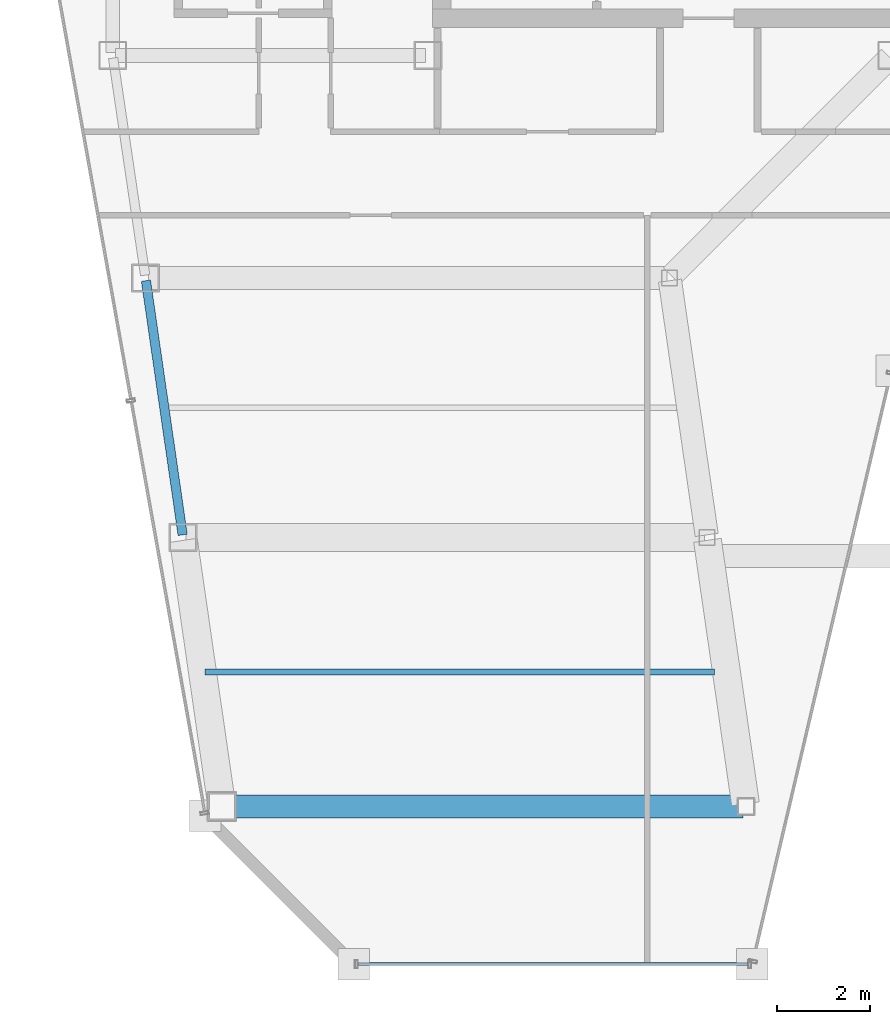
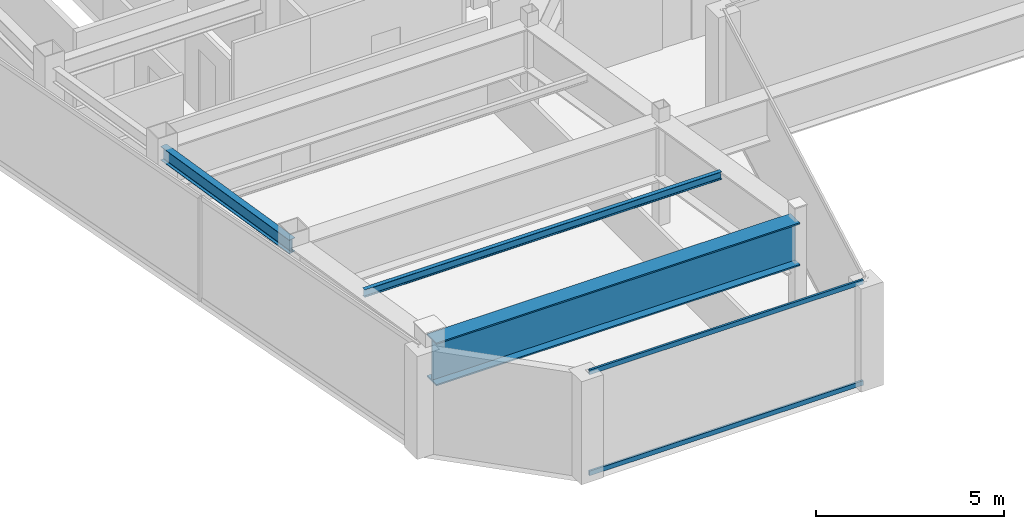
# One storey, part 4 of 30: 3 beams, 2 members, 1 element without a shape of its own.
"""IFC4 building model written with IfcOpenShell, lengths in metres."""

import ifcopenshell
import ifcopenshell.guid

model = None  # the IFC model being written
_history = None  # IfcOwnerHistory: only IFC2X3 demands one
_inside = {}  # id of a spatial element -> (the spatial element, [elements in it])
_under = {}  # id of a project, library or spatial element -> (it, [spatial elements below it])
_declared = {}  # id of a project -> (the project, [libraries it declares])
_typed = {}  # id of a type object -> (the type object, [elements of that type])
_made_of = {}  # id of a material, layer set ... -> (it, [elements and type objects made of it])


def new_model(schema):
    """Start an empty IFC model of exactly this schema.

    Asked for "IFC4X3", IfcOpenShell would pick the latest addendum, in which some entities
    have other attributes; the version numbers below select the first issue.
    IFC2X3 requires an IfcOwnerHistory on every rooted entity: one is made here for all.
    """
    global model, _history
    if schema == "IFC4X3":
        model = ifcopenshell.file(schema_version=(4, 3, 0, 0))
    else:
        model = ifcopenshell.file(schema=schema)
    _inside.clear()
    _under.clear()
    _declared.clear()
    _typed.clear()
    _made_of.clear()
    _history = None
    if model.schema == "IFC2X3":
        org = make("IfcOrganization", Name="unknown")
        user = make(
            "IfcPersonAndOrganization",
            ThePerson=make("IfcPerson", FamilyName="unknown"),
            TheOrganization=org,
        )
        app = make(
            "IfcApplication",
            ApplicationDeveloper=org,
            Version="unknown",
            ApplicationFullName="unknown",
            ApplicationIdentifier="unknown",
        )
        _history = make(
            "IfcOwnerHistory",
            OwningUser=user,
            OwningApplication=app,
            ChangeAction="ADDED",
            CreationDate=0,
        )
    return model


def make(cls, **values):
    """One entity of the class cls with the attributes given. An attribute that is None is left unset."""
    return model.create_entity(
        cls, **{name: value for name, value in values.items() if value is not None}
    )


def rooted(cls, **values):
    """An entity with a GlobalId (a new one), such as an element, a storey or a relation."""
    return make(cls, GlobalId=ifcopenshell.guid.new(), OwnerHistory=_history, **values)


def si_unit(unit_type, name, prefix=None):
    """IfcSIUnit, for example si_unit("LENGTHUNIT", "METRE", prefix="MILLI")."""
    return make("IfcSIUnit", UnitType=unit_type, Prefix=prefix, Name=name)


def assignment(units):
    """IfcUnitAssignment: the units of a project."""
    return None if units is None else make("IfcUnitAssignment", Units=units)


def point(xyz):
    """IfcCartesianPoint."""
    return None if xyz is None else make("IfcCartesianPoint", Coordinates=xyz)


def direction(xyz):
    """IfcDirection."""
    return None if xyz is None else make("IfcDirection", DirectionRatios=xyz)


def frame(location, z_axis=None, x_axis=None):
    """IfcAxis2Placement3D, a coordinate frame: its origin and axes. An axis left out is left unset."""
    return make(
        "IfcAxis2Placement3D",
        Location=point(location),
        Axis=direction(z_axis),
        RefDirection=direction(x_axis),
    )


def frame_2d(location, x_axis=None):
    """IfcAxis2Placement2D, a coordinate frame in the plane: its origin and x axis."""
    return make(
        "IfcAxis2Placement2D", Location=point(location), RefDirection=direction(x_axis)
    )


def origin():
    """The frame at (0, 0, 0) with its axes left unset."""
    return frame((0.0, 0.0, 0.0))


def origin_2d():
    """The frame at (0, 0) in the plane with its x axis left unset."""
    return frame_2d((0.0, 0.0))


def place(relative_to, where):
    """IfcLocalPlacement: puts the frame where relative to a parent placement (None: the world)."""
    return make(
        "IfcLocalPlacement", PlacementRelTo=relative_to, RelativePlacement=where
    )


def context(
    kind, dimensions, precision=None, world=None, true_north=None, identifier=None
):
    """IfcGeometricRepresentationContext, for example the 3D "Model" context."""
    return make(
        "IfcGeometricRepresentationContext",
        ContextIdentifier=identifier,
        ContextType=kind,
        CoordinateSpaceDimension=dimensions,
        Precision=precision,
        WorldCoordinateSystem=world,
        TrueNorth=true_north,
    )


def subcontext(parent, identifier, kind, view, scale=None):
    """IfcGeometricRepresentationSubContext, for example "Body" below "Model"."""
    return make(
        "IfcGeometricRepresentationSubContext",
        ContextIdentifier=identifier,
        ContextType=kind,
        ParentContext=parent,
        TargetScale=scale,
        TargetView=view,
    )


def project(units=None, contexts=None):
    """IfcProject with its units and contexts."""
    return rooted(
        "IfcProject",
        Name="project",
        RepresentationContexts=contexts,
        UnitsInContext=assignment(units),
    )


def spatial(cls, under=None, at=None, **own):
    """A site, building, storey or space (cls), placed at a placement, below another one or the project."""
    s = rooted(cls, ObjectPlacement=at, **own)
    if under is not None:
        _under.setdefault(under.id(), (under, []))[1].append(s)
    return s


def profile(cls, at=None, kind="AREA", **sizes):
    """A parametric profile (cls). Its sizes go by their IFC names, for example OverallWidth=200.0."""
    return make(cls, ProfileType=kind, Position=at, **sizes)


def hollow_rectangle(**sizes):
    """IfcRectangleHollowProfileDef."""
    return profile("IfcRectangleHollowProfileDef", **sizes)


def i_section(**sizes):
    """IfcIShapeProfileDef."""
    return profile("IfcIShapeProfileDef", **sizes)


def extrude(swept, where, along, depth):
    """IfcExtrudedAreaSolid: the profile swept, set in the frame where, extruded along a direction by depth."""
    return make(
        "IfcExtrudedAreaSolid",
        SweptArea=swept,
        Position=where,
        ExtrudedDirection=direction(along),
        Depth=depth,
    )


def shape(context_of_items, identifier, shape_type, items):
    """IfcShapeRepresentation: the items that make up one representation, for example the "Body"."""
    return make(
        "IfcShapeRepresentation",
        ContextOfItems=context_of_items,
        RepresentationIdentifier=identifier,
        RepresentationType=shape_type,
        Items=items,
    )


def material(Name=None, Category=None):
    """IfcMaterial."""
    return make("IfcMaterial", Name=Name, Category=Category)


def material_profile(
    of_material, cross_section, Name=None, Category=None, Priority=None
):
    """IfcMaterialProfile: a cross section and its material."""
    return make(
        "IfcMaterialProfile",
        Name=Name,
        Material=of_material,
        Profile=cross_section,
        Priority=Priority,
        Category=Category,
    )


def profile_set(profiles, Name=None, composite=None):
    """IfcMaterialProfileSet."""
    return make(
        "IfcMaterialProfileSet",
        Name=Name,
        MaterialProfiles=profiles,
        CompositeProfile=composite,
    )


def made_of(thing, what):
    """Note that an element or type object is made of a material, layer set ...; save() writes the relation."""
    if what is not None:
        _made_of.setdefault(what.id(), (what, []))[1].append(thing)
    return thing


def type_object(cls, material=None, **own):
    """A type object (cls), such as IfcWallType, which elements share."""
    return made_of(rooted(cls, **own), material)


def element(
    cls,
    number,
    at=None,
    inside=None,
    cuts=None,
    type_object=None,
    material=None,
    context=None,
    identifier="Body",
    shape_type=None,
    held_by="IfcProductDefinitionShape",
    body=None,
    shapes=None,
    **own,
):
    """One element of the class cls, such as IfcWall. Its Tag is "e" and its number.

    at: its placement. inside: the storey or other place that contains it. cuts: it is an
    opening in that element (IfcRelVoidsElement). A single representation is given by context,
    identifier, shape_type and body (its items); several are given by shapes. held_by: the class
    of the entity that holds the representations. save() writes the other relations.
    """
    e = rooted(cls, Tag="e%d" % number, ObjectPlacement=at, **own)
    if body is not None:
        shapes = [shape(context, identifier, shape_type, body)]
    if shapes is not None:
        e.Representation = make(held_by, Representations=shapes)
    if inside is not None:
        _inside.setdefault(inside.id(), (inside, []))[1].append(e)
    if cuts is not None:
        rooted(
            "IfcRelVoidsElement", RelatingBuildingElement=cuts, RelatedOpeningElement=e
        )
    if type_object is not None:
        _typed.setdefault(type_object.id(), (type_object, []))[1].append(e)
    return made_of(e, material)


def aggregate(whole, parts):
    """IfcRelAggregates: a whole, such as a stair, and the parts it consists of."""
    return rooted("IfcRelAggregates", RelatingObject=whole, RelatedObjects=parts)


def save(model, path):
    """Write the relations noted so far, then the file.

    IfcRelAggregates (storeys below a building ...), IfcRelContainedInSpatialStructure (elements
    in a storey), IfcRelDefinesByType, IfcRelAssociatesMaterial and IfcRelDeclares: one each for
    every whole, place, type object, material and project.
    """
    for whole, parts in _under.values():
        aggregate(whole, parts)
    for where, things in _inside.values():
        rooted(
            "IfcRelContainedInSpatialStructure",
            RelatedElements=things,
            RelatingStructure=where,
        )
    for kind, things in _typed.values():
        rooted("IfcRelDefinesByType", RelatedObjects=things, RelatingType=kind)
    for what, things in _made_of.values():
        rooted("IfcRelAssociatesMaterial", RelatedObjects=things, RelatingMaterial=what)
    for by, libraries in _declared.values():
        rooted("IfcRelDeclares", RelatingContext=by, RelatedDefinitions=libraries)
    model.write(path)


model = new_model("IFC4")

# Units and contexts
model_context = context("Model", 3, precision=1e-05, world=origin(), true_north=direction((0.0, 1.0)))
body_context = subcontext(model_context, "Body", "Model", "MODEL_VIEW")
ifc_project = project(units=[si_unit("LENGTHUNIT", "METRE"), si_unit("AREAUNIT", "SQUARE_METRE"), si_unit("VOLUMEUNIT", "CUBIC_METRE"), si_unit("PLANEANGLEUNIT", "RADIAN"), si_unit("MASSUNIT", "GRAM", prefix="KILO")], contexts=[model_context])

# Site, building, storey
site_placement = place(None, origin())
site = spatial("IfcSite", under=ifc_project, at=site_placement, CompositionType="ELEMENT")
building_placement = place(site_placement, origin())
building = spatial("IfcBuilding", under=site, at=building_placement, Name="Saevonmaru Cultural Tower", CompositionType="ELEMENT")
storey_placement = place(building_placement, frame((0.0, 0.0, 272.39990234375)))
storey = spatial("IfcBuildingStorey", under=building, at=storey_placement, Name="L64", CompositionType="ELEMENT", Elevation=272.39990234375)

# Beams
ifc_material_1 = material(Name="Steel SM355", Category="steel")
ifc_material_profile_1 = material_profile(ifc_material_1, i_section(OverallWidth=0.125, OverallDepth=0.25, WebThickness=0.006103515625, FlangeThickness=0.009033203125, FilletRadius=0.008056640625, at=origin_2d()), Name="H-250x125x6x9")
ifc_profile_set_1 = profile_set([ifc_material_profile_1], Name="Steel SM355")
beam_type_1 = type_object("IfcBeamType", Name="BM-J-H250", PredefinedType="JOIST", material=ifc_profile_set_1)
beam_1_placement = place(storey_placement, frame((8.79541015625, 29.10009765625, 3.22509765625), z_axis=(1.0, 0.0, 0.0), x_axis=(0.0, 1.0, 0.0)))
element("IfcBeam", 1, at=beam_1_placement, inside=storey, type_object=beam_type_1, Name="L64 West Wing Floor Joist 1", PredefinedType="JOIST", context=body_context, shape_type="SweptSolid", body=[
    extrude(i_section(OverallWidth=0.125, OverallDepth=0.25, WebThickness=0.006103515625, FlangeThickness=0.009033203125, FilletRadius=0.008056640625, at=origin_2d()), origin(), (0.0, 0.0, 1.0), 10.982177734375),
])
ifc_material_profile_2 = material_profile(ifc_material_1, i_section(OverallWidth=0.199951171875, OverallDepth=0.449951171875, WebThickness=0.009033203125, FlangeThickness=0.013916015625, FilletRadius=0.01806640625, at=origin_2d()), Name="H-450x200x9x14")
ifc_profile_set_2 = profile_set([ifc_material_profile_2], Name="Steel SM355")
beam_type_2 = type_object("IfcBeamType", Name="BM-SP-H450", PredefinedType="SPANDREL", material=ifc_profile_set_2)
beam_2_placement = place(storey_placement, frame((8.308349609375, 32.059326171875, 3.125), z_axis=(-0.142964121327, 0.989727871697, 0.0), x_axis=(-0.989727871697, -0.142964121327, 0.0)))
element("IfcBeam", 2, at=beam_2_placement, inside=storey, type_object=beam_type_2, Name="L64 West Splayed Spandrel 2", PredefinedType="SPANDREL", context=body_context, shape_type="SweptSolid", body=[
    extrude(i_section(OverallWidth=0.199951171875, OverallDepth=0.449951171875, WebThickness=0.009033203125, FlangeThickness=0.013916015625, FilletRadius=0.01806640625, at=origin_2d()), origin(), (0.0, 0.0, 1.0), 5.5380859375),
])
ifc_material_2 = material(Name="Steel HSA600 (600 MPa)", Category="steel")
ifc_material_profile_3 = material_profile(ifc_material_2, i_section(OverallWidth=0.5, OverallDepth=1.39990234375, WebThickness=0.02392578125, FlangeThickness=0.044921875, at=origin_2d()), Name="PG-1400x500x24x45")
ifc_profile_set_3 = profile_set([ifc_material_profile_3], Name="Steel HSA600 (600 MPa)")
beam_type_3 = type_object("IfcBeamType", Name="BM-TG-PG1400", PredefinedType="BEAM", material=ifc_profile_set_3)
beam_3_placement = place(storey_placement, frame((9.214111328125, 26.199951171875, 2.650146484375), z_axis=(1.0, 0.0, 0.0), x_axis=(0.0, 1.0, 0.0)))
element("IfcBeam", 3, at=beam_3_placement, inside=storey, type_object=beam_type_3, Name="L64 West Wing Transverse Girder 1", PredefinedType="BEAM", context=body_context, shape_type="SweptSolid", body=[
    extrude(i_section(OverallWidth=0.5, OverallDepth=1.39990234375, WebThickness=0.02392578125, FlangeThickness=0.044921875, at=origin_2d()), origin(), (0.0, 0.0, 1.0), 11.179931640625),
])

# Curtain wall, members
ifc_material_3 = material(Name="Satin Bronze Anodised Aluminium", Category="aluminium")
curtain_wall_type = type_object("IfcCurtainWallType", Name="CW-TYP-B", PredefinedType="NOTDEFINED", material=ifc_material_3)
curtain_wall_placement = place(storey_placement, origin())
curtain_wall = element("IfcCurtainWall", 4, at=curtain_wall_placement, inside=storey, type_object=curtain_wall_type, Name="L64 Unitised Curtain Wall E2", PredefinedType="NOTDEFINED")
ifc_material_profile_4 = material_profile(ifc_material_3, hollow_rectangle(XDim=0.06494140625, YDim=0.14990234375, WallThickness=0.00390625, at=origin_2d()), Name="ALU-TRAN-150x65x4")
ifc_profile_set_4 = profile_set([ifc_material_profile_4], Name="Satin Bronze Anodised Aluminium")
member_type = type_object("IfcMemberType", Name="TR-CW-150x65", PredefinedType="USERDEFINED", material=ifc_profile_set_4)
member_1_placement = place(storey_placement, frame((12.088134765625, 22.800048828125, 0.03271484375), z_axis=(1.0, 0.0, 0.0), x_axis=(0.0, 1.0, 0.0)))
member_1 = element("IfcMember", 5, at=member_1_placement, type_object=member_type, Name="CW-TW-L64-E2 transom 1.1", ObjectType="TRANSOM", PredefinedType="USERDEFINED", context=body_context, shape_type="SweptSolid", body=[
    extrude(hollow_rectangle(XDim=0.06494140625, YDim=0.14990234375, WallThickness=0.00390625, at=origin_2d()), origin(), (0.0, 0.0, 1.0), 8.4150390625),
])
member_2_placement = place(storey_placement, frame((12.088134765625, 22.800048828125, 3.317626953125), z_axis=(1.0, 0.0, 0.0), x_axis=(0.0, 1.0, 0.0)))
member_2 = element("IfcMember", 6, at=member_2_placement, type_object=member_type, Name="CW-TW-L64-E2 transom 1.2", ObjectType="TRANSOM", PredefinedType="USERDEFINED", context=body_context, shape_type="SweptSolid", body=[
    extrude(hollow_rectangle(XDim=0.06494140625, YDim=0.14990234375, WallThickness=0.00390625, at=origin_2d()), origin(), (0.0, 0.0, 1.0), 8.4150390625),
])
aggregate(curtain_wall, [member_1, member_2])

save(model, "model.ifc")
